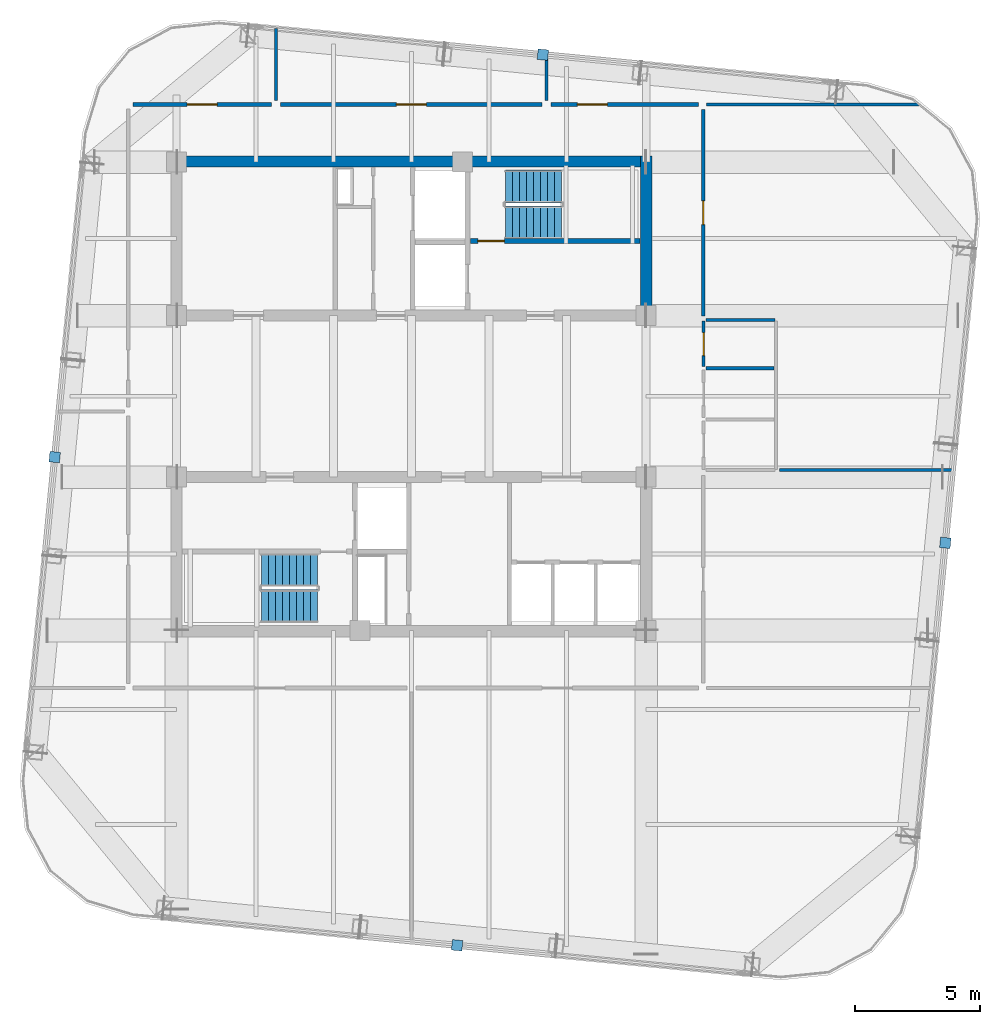
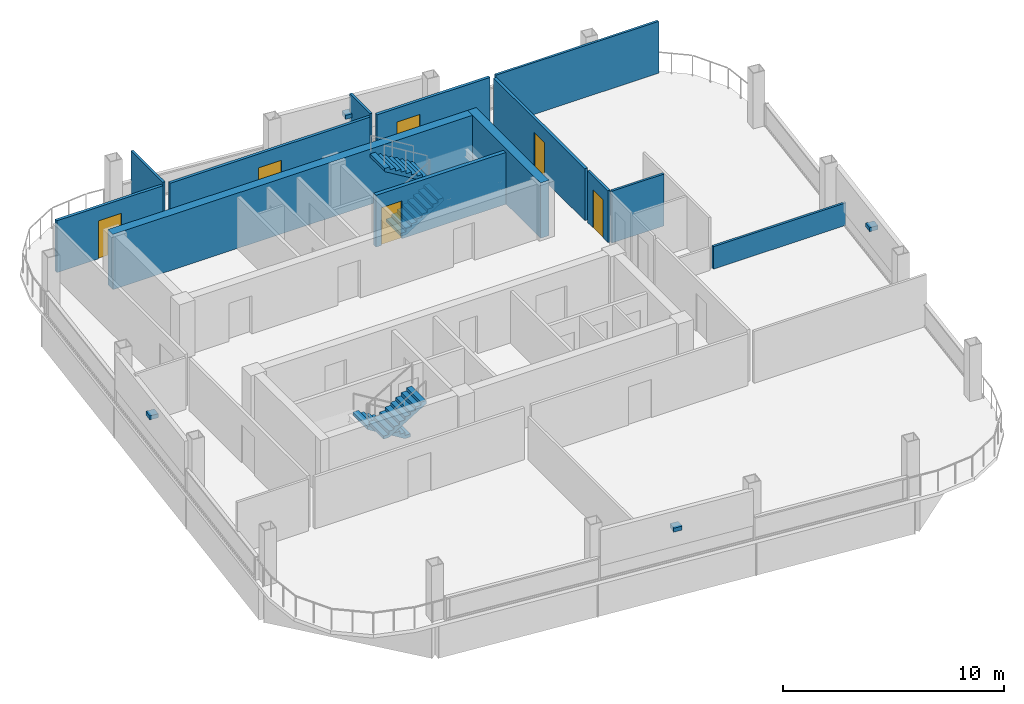
# One storey, part 17 of 21: 14 walls, 6 doors, 4 discrete accessories, 4 stair flights, 6 openings, 2 elements without a shape of their own.
"""IFC4 building model written with IfcOpenShell, lengths in metres."""

import ifcopenshell
import ifcopenshell.guid

model = None  # the IFC model being written
_history = None  # IfcOwnerHistory: only IFC2X3 demands one
_inside = {}  # id of a spatial element -> (the spatial element, [elements in it])
_under = {}  # id of a project, library or spatial element -> (it, [spatial elements below it])
_declared = {}  # id of a project -> (the project, [libraries it declares])
_typed = {}  # id of a type object -> (the type object, [elements of that type])
_made_of = {}  # id of a material, layer set ... -> (it, [elements and type objects made of it])


def new_model(schema):
    """Start an empty IFC model of exactly this schema.

    Asked for "IFC4X3", IfcOpenShell would pick the latest addendum, in which some entities
    have other attributes; the version numbers below select the first issue.
    IFC2X3 requires an IfcOwnerHistory on every rooted entity: one is made here for all.
    """
    global model, _history
    if schema == "IFC4X3":
        model = ifcopenshell.file(schema_version=(4, 3, 0, 0))
    else:
        model = ifcopenshell.file(schema=schema)
    _inside.clear()
    _under.clear()
    _declared.clear()
    _typed.clear()
    _made_of.clear()
    _history = None
    if model.schema == "IFC2X3":
        org = make("IfcOrganization", Name="unknown")
        user = make(
            "IfcPersonAndOrganization",
            ThePerson=make("IfcPerson", FamilyName="unknown"),
            TheOrganization=org,
        )
        app = make(
            "IfcApplication",
            ApplicationDeveloper=org,
            Version="unknown",
            ApplicationFullName="unknown",
            ApplicationIdentifier="unknown",
        )
        _history = make(
            "IfcOwnerHistory",
            OwningUser=user,
            OwningApplication=app,
            ChangeAction="ADDED",
            CreationDate=0,
        )
    return model


def make(cls, **values):
    """One entity of the class cls with the attributes given. An attribute that is None is left unset."""
    return model.create_entity(
        cls, **{name: value for name, value in values.items() if value is not None}
    )


def rooted(cls, **values):
    """An entity with a GlobalId (a new one), such as an element, a storey or a relation."""
    return make(cls, GlobalId=ifcopenshell.guid.new(), OwnerHistory=_history, **values)


def si_unit(unit_type, name, prefix=None):
    """IfcSIUnit, for example si_unit("LENGTHUNIT", "METRE", prefix="MILLI")."""
    return make("IfcSIUnit", UnitType=unit_type, Prefix=prefix, Name=name)


def assignment(units):
    """IfcUnitAssignment: the units of a project."""
    return None if units is None else make("IfcUnitAssignment", Units=units)


def point(xyz):
    """IfcCartesianPoint."""
    return None if xyz is None else make("IfcCartesianPoint", Coordinates=xyz)


def direction(xyz):
    """IfcDirection."""
    return None if xyz is None else make("IfcDirection", DirectionRatios=xyz)


def frame(location, z_axis=None, x_axis=None):
    """IfcAxis2Placement3D, a coordinate frame: its origin and axes. An axis left out is left unset."""
    return make(
        "IfcAxis2Placement3D",
        Location=point(location),
        Axis=direction(z_axis),
        RefDirection=direction(x_axis),
    )


def frame_2d(location, x_axis=None):
    """IfcAxis2Placement2D, a coordinate frame in the plane: its origin and x axis."""
    return make(
        "IfcAxis2Placement2D", Location=point(location), RefDirection=direction(x_axis)
    )


def origin():
    """The frame at (0, 0, 0) with its axes left unset."""
    return frame((0.0, 0.0, 0.0))


def origin_2d():
    """The frame at (0, 0) in the plane with its x axis left unset."""
    return frame_2d((0.0, 0.0))


def place(relative_to, where):
    """IfcLocalPlacement: puts the frame where relative to a parent placement (None: the world)."""
    return make(
        "IfcLocalPlacement", PlacementRelTo=relative_to, RelativePlacement=where
    )


def context(
    kind, dimensions, precision=None, world=None, true_north=None, identifier=None
):
    """IfcGeometricRepresentationContext, for example the 3D "Model" context."""
    return make(
        "IfcGeometricRepresentationContext",
        ContextIdentifier=identifier,
        ContextType=kind,
        CoordinateSpaceDimension=dimensions,
        Precision=precision,
        WorldCoordinateSystem=world,
        TrueNorth=true_north,
    )


def subcontext(parent, identifier, kind, view, scale=None):
    """IfcGeometricRepresentationSubContext, for example "Body" below "Model"."""
    return make(
        "IfcGeometricRepresentationSubContext",
        ContextIdentifier=identifier,
        ContextType=kind,
        ParentContext=parent,
        TargetScale=scale,
        TargetView=view,
    )


def project(units=None, contexts=None):
    """IfcProject with its units and contexts."""
    return rooted(
        "IfcProject",
        Name="project",
        RepresentationContexts=contexts,
        UnitsInContext=assignment(units),
    )


def spatial(cls, under=None, at=None, **own):
    """A site, building, storey or space (cls), placed at a placement, below another one or the project."""
    s = rooted(cls, ObjectPlacement=at, **own)
    if under is not None:
        _under.setdefault(under.id(), (under, []))[1].append(s)
    return s


def polyline(points):
    """IfcPolyline through the points."""
    return make("IfcPolyline", Points=[point(p) for p in points])


def profile(cls, at=None, kind="AREA", **sizes):
    """A parametric profile (cls). Its sizes go by their IFC names, for example OverallWidth=200.0."""
    return make(cls, ProfileType=kind, Position=at, **sizes)


def rectangle(**sizes):
    """IfcRectangleProfileDef."""
    return profile("IfcRectangleProfileDef", **sizes)


def outline(outer, holes=None, kind="AREA"):
    """IfcArbitraryClosedProfileDef: a profile drawn as a closed curve; with holes, ...WithVoids."""
    if holes is None:
        return make("IfcArbitraryClosedProfileDef", ProfileType=kind, OuterCurve=outer)
    return make(
        "IfcArbitraryProfileDefWithVoids",
        ProfileType=kind,
        OuterCurve=outer,
        InnerCurves=holes,
    )


def extrude(swept, where, along, depth):
    """IfcExtrudedAreaSolid: the profile swept, set in the frame where, extruded along a direction by depth."""
    return make(
        "IfcExtrudedAreaSolid",
        SweptArea=swept,
        Position=where,
        ExtrudedDirection=direction(along),
        Depth=depth,
    )


def shape(context_of_items, identifier, shape_type, items):
    """IfcShapeRepresentation: the items that make up one representation, for example the "Body"."""
    return make(
        "IfcShapeRepresentation",
        ContextOfItems=context_of_items,
        RepresentationIdentifier=identifier,
        RepresentationType=shape_type,
        Items=items,
    )


def material(Name=None, Category=None):
    """IfcMaterial."""
    return make("IfcMaterial", Name=Name, Category=Category)


def layer(
    of_material, thickness, ventilated=None, Name=None, Category=None, Priority=None
):
    """IfcMaterialLayer: one layer of a wall or slab, of a material (None: an air gap)."""
    return make(
        "IfcMaterialLayer",
        Material=of_material,
        LayerThickness=thickness,
        IsVentilated=ventilated,
        Name=Name,
        Category=Category,
        Priority=Priority,
    )


def layer_set(layers, Name=None):
    """IfcMaterialLayerSet."""
    return make("IfcMaterialLayerSet", MaterialLayers=layers, LayerSetName=Name)


def made_of(thing, what):
    """Note that an element or type object is made of a material, layer set ...; save() writes the relation."""
    if what is not None:
        _made_of.setdefault(what.id(), (what, []))[1].append(thing)
    return thing


def type_object(cls, material=None, **own):
    """A type object (cls), such as IfcWallType, which elements share."""
    return made_of(rooted(cls, **own), material)


def element(
    cls,
    number,
    at=None,
    inside=None,
    cuts=None,
    type_object=None,
    material=None,
    context=None,
    identifier="Body",
    shape_type=None,
    held_by="IfcProductDefinitionShape",
    body=None,
    shapes=None,
    **own,
):
    """One element of the class cls, such as IfcWall. Its Tag is "e" and its number.

    at: its placement. inside: the storey or other place that contains it. cuts: it is an
    opening in that element (IfcRelVoidsElement). A single representation is given by context,
    identifier, shape_type and body (its items); several are given by shapes. held_by: the class
    of the entity that holds the representations. save() writes the other relations.
    """
    e = rooted(cls, Tag="e%d" % number, ObjectPlacement=at, **own)
    if body is not None:
        shapes = [shape(context, identifier, shape_type, body)]
    if shapes is not None:
        e.Representation = make(held_by, Representations=shapes)
    if inside is not None:
        _inside.setdefault(inside.id(), (inside, []))[1].append(e)
    if cuts is not None:
        rooted(
            "IfcRelVoidsElement", RelatingBuildingElement=cuts, RelatedOpeningElement=e
        )
    if type_object is not None:
        _typed.setdefault(type_object.id(), (type_object, []))[1].append(e)
    return made_of(e, material)


def fill(opening, filler):
    """IfcRelFillsElement: the door or window that sits in an opening."""
    return rooted(
        "IfcRelFillsElement",
        RelatingOpeningElement=opening,
        RelatedBuildingElement=filler,
    )


def aggregate(whole, parts):
    """IfcRelAggregates: a whole, such as a stair, and the parts it consists of."""
    return rooted("IfcRelAggregates", RelatingObject=whole, RelatedObjects=parts)


def save(model, path):
    """Write the relations noted so far, then the file.

    IfcRelAggregates (storeys below a building ...), IfcRelContainedInSpatialStructure (elements
    in a storey), IfcRelDefinesByType, IfcRelAssociatesMaterial and IfcRelDeclares: one each for
    every whole, place, type object, material and project.
    """
    for whole, parts in _under.values():
        aggregate(whole, parts)
    for where, things in _inside.values():
        rooted(
            "IfcRelContainedInSpatialStructure",
            RelatedElements=things,
            RelatingStructure=where,
        )
    for kind, things in _typed.values():
        rooted("IfcRelDefinesByType", RelatedObjects=things, RelatingType=kind)
    for what, things in _made_of.values():
        rooted("IfcRelAssociatesMaterial", RelatedObjects=things, RelatingMaterial=what)
    for by, libraries in _declared.values():
        rooted("IfcRelDeclares", RelatingContext=by, RelatedDefinitions=libraries)
    model.write(path)


model = new_model("IFC4")

# Units and contexts
model_context = context("Model", 3, precision=1e-05, world=origin(), true_north=direction((0.0, 1.0)))
body_context = subcontext(model_context, "Body", "Model", "MODEL_VIEW")
ifc_project = project(units=[si_unit("LENGTHUNIT", "METRE"), si_unit("AREAUNIT", "SQUARE_METRE"), si_unit("VOLUMEUNIT", "CUBIC_METRE"), si_unit("PLANEANGLEUNIT", "RADIAN"), si_unit("MASSUNIT", "GRAM", prefix="KILO")], contexts=[model_context])

# Site, building, storey
site_placement = place(None, origin())
site = spatial("IfcSite", under=ifc_project, at=site_placement, CompositionType="ELEMENT")
building_placement = place(site_placement, origin())
building = spatial("IfcBuilding", under=site, at=building_placement, Name="Qhalaya Broadcast Tower", CompositionType="ELEMENT")
storey_placement = place(building_placement, frame((0.0, 0.0, 270.300048828125)))
storey = spatial("IfcBuildingStorey", under=building, at=storey_placement, Name="L80", CompositionType="ELEMENT", Elevation=270.300048828125)

# Wall, opening, door
ifc_material_1 = material(Name="Gypsum Acoustic Partition")
ifc_layer_1 = layer(ifc_material_1, 0.14990234375, Name="Gypsum Acoustic Partition")
ifc_layer_set_1 = layer_set([ifc_layer_1], Name="Gypsum Acoustic Partition")
wall_type_1 = type_object("IfcWallType", Name="Corridor & Tenancy Acoustic Partition 150", PredefinedType="PARTITIONING", material=ifc_layer_set_1)
wall_1_placement = place(storey_placement, frame((-11.1201171875, 12.25, 0.0), z_axis=(0.0, 0.0, 1.0), x_axis=(1.0, 0.0, 0.0)))
wall_1 = element("IfcWall", 1, at=wall_1_placement, inside=storey, type_object=wall_type_1, Name="L80 Partition Wall W-COR-01", PredefinedType="PARTITIONING", context=body_context, shape_type="SweptSolid", body=[
    extrude(rectangle(XDim=5.5400390625, YDim=0.14990234375, at=frame_2d((2.77001953125, 0.0))), origin(), (0.0, 0.0, 1.0), 2.85986328125),
])
opening_1_placement = place(wall_1_placement, frame((2.169921875, 0.0, 0.0)))
opening_1 = element("IfcOpeningElement", 2, at=opening_1_placement, cuts=wall_1, Name="Opening D11", PredefinedType="OPENING", context=body_context, shape_type="SweptSolid", body=[
    extrude(rectangle(XDim=1.199951171875, YDim=2.10009765625, at=frame_2d((0.60009765625, 1.050048828125))), frame((0.0, 0.0869140625, 0.0), z_axis=(0.0, -1.0, 0.0), x_axis=(1.0, 0.0, 0.0)), (0.0, 0.0, 1.0), 0.173828125),
])
ifc_material_2 = material(Name="Anodised Aluminium Glazed Door", Category="aluminium")
door_type_1 = type_object("IfcDoorType", Name="Conference, Boardroom & Studio Control Door D11", OperationType="NOTDEFINED", PredefinedType="DOOR", material=ifc_material_2)
door_1_placement = place(opening_1_placement, origin())
door_1 = element("IfcDoor", 3, at=door_1_placement, inside=storey, type_object=door_type_1, Name="L80 Door D-RM01", OperationType="SINGLE_SWING_RIGHT", OverallHeight=2.10009765625, OverallWidth=1.199951171875, PredefinedType="DOOR", context=body_context, shape_type="SweptSolid", body=[
    extrude(rectangle(XDim=1.199951171875, YDim=2.10009765625, at=frame_2d((0.60009765625, 1.050048828125))), frame((0.0, 0.02490234375, 0.0), z_axis=(0.0, -1.0, 0.0), x_axis=(1.0, 0.0, 0.0)), (0.0, 0.0, 1.0), 0.050048828125),
])
fill(opening_1, door_1)

wall_2_placement = place(storey_placement, frame((-5.219970703125, 12.25, 0.0), z_axis=(0.0, 0.0, 1.0), x_axis=(1.0, 0.0, 0.0)))
wall_2 = element("IfcWall", 4, at=wall_2_placement, inside=storey, type_object=wall_type_1, Name="L80 Partition Wall W-COR-02", PredefinedType="PARTITIONING", context=body_context, shape_type="SweptSolid", body=[
    extrude(rectangle(XDim=10.43994140625, YDim=0.14990234375, at=frame_2d((5.219970703125, 0.0))), origin(), (0.0, 0.0, 1.0), 2.85986328125),
])
opening_2_placement = place(wall_2_placement, frame((4.6201171875, 0.0, 0.0)))
opening_2 = element("IfcOpeningElement", 5, at=opening_2_placement, cuts=wall_2, Name="Opening D11", PredefinedType="OPENING", context=body_context, shape_type="SweptSolid", body=[
    extrude(rectangle(XDim=1.199951171875, YDim=2.10009765625, at=frame_2d((0.60009765625, 1.050048828125))), frame((0.0, 0.0869140625, 0.0), z_axis=(0.0, -1.0, 0.0), x_axis=(1.0, 0.0, 0.0)), (0.0, 0.0, 1.0), 0.173828125),
])
door_2_placement = place(opening_2_placement, origin())
door_2 = element("IfcDoor", 6, at=door_2_placement, inside=storey, type_object=door_type_1, Name="L80 Door D-RM02", OperationType="SINGLE_SWING_LEFT", OverallHeight=2.10009765625, OverallWidth=1.199951171875, PredefinedType="DOOR", context=body_context, shape_type="SweptSolid", body=[
    extrude(rectangle(XDim=1.199951171875, YDim=2.10009765625, at=frame_2d((0.60009765625, 1.050048828125))), frame((0.0, 0.02490234375, 0.0), z_axis=(0.0, -1.0, 0.0), x_axis=(1.0, 0.0, 0.0)), (0.0, 0.0, 1.0), 0.050048828125),
])
fill(opening_2, door_2)

wall_3_placement = place(storey_placement, frame((5.580078125, 12.25, 0.0), z_axis=(0.0, 0.0, 1.0), x_axis=(1.0, 0.0, 0.0)))
wall_3 = element("IfcWall", 7, at=wall_3_placement, inside=storey, type_object=wall_type_1, Name="L80 Partition Wall W-COR-03", PredefinedType="PARTITIONING", context=body_context, shape_type="SweptSolid", body=[
    extrude(rectangle(XDim=5.889892578125, YDim=0.14990234375, at=frame_2d((2.94482421875, 0.0))), origin(), (0.0, 0.0, 1.0), 2.85986328125),
])
opening_3_placement = place(wall_3_placement, frame((1.044921875, 0.0, 0.0)))
opening_3 = element("IfcOpeningElement", 8, at=opening_3_placement, cuts=wall_3, Name="Opening D11", PredefinedType="OPENING", context=body_context, shape_type="SweptSolid", body=[
    extrude(rectangle(XDim=1.199951171875, YDim=2.10009765625, at=frame_2d((0.60009765625, 1.050048828125))), frame((0.0, 0.0869140625, 0.0), z_axis=(0.0, -1.0, 0.0), x_axis=(1.0, 0.0, 0.0)), (0.0, 0.0, 1.0), 0.173828125),
])
door_3_placement = place(opening_3_placement, origin())
door_3 = element("IfcDoor", 9, at=door_3_placement, inside=storey, type_object=door_type_1, Name="L80 Door D-RM03", OperationType="SINGLE_SWING_RIGHT", OverallHeight=2.10009765625, OverallWidth=1.199951171875, PredefinedType="DOOR", context=body_context, shape_type="SweptSolid", body=[
    extrude(rectangle(XDim=1.199951171875, YDim=2.10009765625, at=frame_2d((0.60009765625, 1.050048828125))), frame((0.0, 0.02490234375, 0.0), z_axis=(0.0, -1.0, 0.0), x_axis=(1.0, 0.0, 0.0)), (0.0, 0.0, 1.0), 0.050048828125),
])
fill(opening_3, door_3)

wall_4_placement = place(storey_placement, frame((11.64990234375, 3.800048828125, 0.0), z_axis=(0.0, 0.0, 1.0), x_axis=(0.0, 1.0, 0.0)))
wall_4 = element("IfcWall", 10, at=wall_4_placement, inside=storey, type_object=wall_type_1, Name="L80 Partition Wall W-COR-09", PredefinedType="PARTITIONING", context=body_context, shape_type="SweptSolid", body=[
    extrude(rectangle(XDim=8.25, YDim=0.14990234375, at=frame_2d((4.125, 0.0))), origin(), (0.0, 0.0, 1.0), 2.85986328125),
])
opening_4_placement = place(wall_4_placement, frame((3.64990234375, 0.0, 0.0)))
opening_4 = element("IfcOpeningElement", 11, at=opening_4_placement, cuts=wall_4, Name="Opening D10", PredefinedType="OPENING", context=body_context, shape_type="SweptSolid", body=[
    extrude(rectangle(XDim=0.949951171875, YDim=2.10009765625, at=frame_2d((0.47509765625, 1.050048828125))), frame((0.0, 0.0869140625, 0.0), z_axis=(0.0, -1.0, 0.0), x_axis=(1.0, 0.0, 0.0)), (0.0, 0.0, 1.0), 0.173828125),
])
ifc_material_3 = material(Name="Timber Veneer Acoustic Door", Category="wood")
door_type_2 = type_object("IfcDoorType", Name="Cellular Office & Edit Booth Door D10", OperationType="NOTDEFINED", PredefinedType="DOOR", material=ifc_material_3)
door_4_placement = place(opening_4_placement, origin())
door_4 = element("IfcDoor", 12, at=door_4_placement, inside=storey, type_object=door_type_2, Name="L80 Door D-RM09", OperationType="SINGLE_SWING_RIGHT", OverallHeight=2.10009765625, OverallWidth=0.949951171875, PredefinedType="DOOR", context=body_context, shape_type="SweptSolid", body=[
    extrude(rectangle(XDim=0.949951171875, YDim=2.10009765625, at=frame_2d((0.47509765625, 1.050048828125))), frame((0.0, 0.02490234375, 0.0), z_axis=(0.0, -1.0, 0.0), x_axis=(1.0, 0.0, 0.0)), (0.0, 0.0, 1.0), 0.050048828125),
])
fill(opening_4, door_4)

ifc_material_4 = material(Name="Concrete C50/60", Category="concrete")
ifc_layer_2 = layer(ifc_material_4, 0.199951171875, Name="Concrete C50/60")
ifc_layer_set_2 = layer_set([ifc_layer_2], Name="Concrete C50/60")
wall_type_2 = type_object("IfcWallType", Name="Load-Bearing Stair Shaft Wall 200", PredefinedType="SHEAR", material=ifc_layer_set_2)
wall_5_placement = place(storey_placement, frame((2.360107421875, 6.804931640625, 0.0), z_axis=(0.0, 0.0, 1.0), x_axis=(1.0, 0.0, 0.0)))
wall_5 = element("IfcWall", 13, at=wall_5_placement, inside=storey, type_object=wall_type_2, Name="L80 Stair Core Shear Wall NCW-ST1", PredefinedType="SHEAR", context=body_context, shape_type="SweptSolid", body=[
    extrude(rectangle(XDim=6.769775390625, YDim=0.199951171875, at=frame_2d((3.384765625, 0.0))), origin(), (0.0, 0.0, 1.0), 2.85986328125),
])
opening_5_placement = place(wall_5_placement, frame((0.300048828125, 0.0, 0.0)))
opening_5 = element("IfcOpeningElement", 14, at=opening_5_placement, cuts=wall_5, Name="Opening D03", PredefinedType="OPENING", context=body_context, shape_type="SweptSolid", body=[
    extrude(rectangle(XDim=1.050048828125, YDim=2.080078125, at=frame_2d((0.52490234375, 1.0400390625))), frame((0.0, 0.112060546875, 0.0), z_axis=(0.0, -1.0, 0.0), x_axis=(1.0, 0.0, 0.0)), (0.0, 0.0, 1.0), 0.223876953125),
])
ifc_material_5 = material(Name="Fire-Rated Steel Door", Category="steel")
door_type_3 = type_object("IfcDoorType", Name="Core Stair Protected Fire Door D03", OperationType="NOTDEFINED", PredefinedType="DOOR", material=ifc_material_5)
door_5_placement = place(opening_5_placement, origin())
door_5 = element("IfcDoor", 15, at=door_5_placement, inside=storey, type_object=door_type_3, Name="L80 Door D-NST1", OperationType="SINGLE_SWING_LEFT", OverallHeight=2.080078125, OverallWidth=1.050048828125, PredefinedType="DOOR", context=body_context, shape_type="SweptSolid", body=[
    extrude(rectangle(XDim=1.050048828125, YDim=2.080078125, at=frame_2d((0.52490234375, 1.0400390625))), frame((0.0, 0.02490234375, 0.0), z_axis=(0.0, -1.0, 0.0), x_axis=(1.0, 0.0, 0.0)), (0.0, 0.0, 1.0), 0.050048828125),
])
fill(opening_5, door_5)

ifc_layer_3 = layer(ifc_material_1, 0.1201171875, Name="Gypsum Acoustic Partition")
ifc_layer_set_3 = layer_set([ifc_layer_3], Name="Gypsum Acoustic Partition")
wall_type_3 = type_object("IfcWallType", Name="Office, Booth & Sanitary Partition 120", PredefinedType="PARTITIONING", material=ifc_layer_set_3)
wall_6_placement = place(storey_placement, frame((11.669921875, 1.780029296875, 0.0), z_axis=(0.0, 0.0, 1.0), x_axis=(0.0, 1.0, 0.0)))
wall_6 = element("IfcWall", 16, at=wall_6_placement, inside=storey, type_object=wall_type_3, Name="L80 Partition Wall W-WCWF", PredefinedType="PARTITIONING", context=body_context, shape_type="SweptSolid", body=[
    extrude(rectangle(XDim=1.830078125, YDim=0.1201171875, at=frame_2d((0.9150390625, 0.0))), origin(), (0.0, 0.0, 1.0), 2.85986328125),
])
opening_6_placement = place(wall_6_placement, frame((0.43994140625, 0.0, 0.0)))
opening_6 = element("IfcOpeningElement", 17, at=opening_6_placement, cuts=wall_6, Name="Opening D12", PredefinedType="OPENING", context=body_context, shape_type="SweptSolid", body=[
    extrude(rectangle(XDim=0.919921875, YDim=2.10009765625, at=frame_2d((0.4599609375, 1.050048828125))), frame((0.0, 0.072021484375, 0.0), z_axis=(0.0, -1.0, 0.0), x_axis=(1.0, 0.0, 0.0)), (0.0, 0.0, 1.0), 0.14404296875),
])
door_type_4 = type_object("IfcDoorType", Name="Accessible WC & Restroom Door D12", OperationType="NOTDEFINED", PredefinedType="DOOR", material=ifc_material_3)
door_6_placement = place(opening_6_placement, origin())
door_6 = element("IfcDoor", 18, at=door_6_placement, inside=storey, type_object=door_type_4, Name="L80 Door D-WCF", OperationType="SINGLE_SWING_LEFT", OverallHeight=2.10009765625, OverallWidth=0.919921875, PredefinedType="DOOR", context=body_context, shape_type="SweptSolid", body=[
    extrude(rectangle(XDim=0.919921875, YDim=2.10009765625, at=frame_2d((0.4599609375, 1.050048828125))), frame((0.0, 0.02490234375, 0.0), z_axis=(0.0, -1.0, 0.0), x_axis=(1.0, 0.0, 0.0)), (0.0, 0.0, 1.0), 0.050048828125),
])
fill(opening_6, door_6)

# Walls
wall_7_placement = place(storey_placement, frame((11.760009765625, 3.639892578125, 0.0), z_axis=(0.0, 0.0, 1.0), x_axis=(1.0, 0.0, 0.0)))
element("IfcWall", 19, at=wall_7_placement, inside=storey, type_object=wall_type_3, Name="L80 Partition Wall W-WCN", PredefinedType="PARTITIONING", context=body_context, shape_type="SweptSolid", body=[
    extrude(rectangle(XDim=2.760009765625, YDim=0.1201171875, at=frame_2d((1.3798828125, 0.0))), origin(), (0.0, 0.0, 1.0), 1.239990234375),
])
wall_8_placement = place(storey_placement, frame((11.760009765625, 1.719970703125, 0.0), z_axis=(0.0, 0.0, 1.0), x_axis=(1.0, 0.0, 0.0)))
element("IfcWall", 20, at=wall_8_placement, inside=storey, type_object=wall_type_3, Name="L80 Partition Wall W-WCD2", PredefinedType="PARTITIONING", context=body_context, shape_type="SweptSolid", body=[
    extrude(rectangle(XDim=2.719970703125, YDim=0.1201171875, at=frame_2d((1.35986328125, 0.0))), origin(), (0.0, 0.0, 1.0), 2.85986328125),
])
wall_9_placement = place(storey_placement, frame((11.7900390625, 12.25, 0.0), z_axis=(0.0, 0.0, 1.0), x_axis=(1.0, 0.0, 0.0)))
element("IfcWall", 21, at=wall_9_placement, inside=storey, type_object=wall_type_3, Name="L80 Partition Wall W-BNDE1", PredefinedType="PARTITIONING", context=body_context, shape_type="SweptSolid", body=[
    extrude(rectangle(XDim=8.484130859375, YDim=0.1201171875, at=frame_2d((4.2421875, 0.0))), origin(), (0.0, 0.0, 1.0), 2.85986328125),
])
wall_10_placement = place(storey_placement, frame((-5.39990234375, 12.409912109375, 0.0), z_axis=(0.0, 0.0, 1.0), x_axis=(0.0, 1.0, 0.0)))
element("IfcWall", 22, at=wall_10_placement, inside=storey, type_object=wall_type_3, Name="L80 Partition Wall W-DIVN1", PredefinedType="PARTITIONING", context=body_context, shape_type="SweptSolid", body=[
    extrude(rectangle(XDim=2.87353515625, YDim=0.1201171875, at=frame_2d((1.436767578125, 0.0))), origin(), (0.0, 0.0, 1.0), 2.85986328125),
])
wall_11_placement = place(storey_placement, frame((5.39990234375, 12.409912109375, 0.0), z_axis=(0.0, 0.0, 1.0), x_axis=(0.0, 1.0, 0.0)))
element("IfcWall", 23, at=wall_11_placement, inside=storey, type_object=wall_type_3, Name="L80 Partition Wall W-DIVN2", PredefinedType="PARTITIONING", context=body_context, shape_type="SweptSolid", body=[
    extrude(rectangle(XDim=1.833740234375, YDim=0.1201171875, at=frame_2d((0.9169921875, 0.0))), origin(), (0.0, 0.0, 1.0), 2.85986328125),
])
wall_12_placement = place(storey_placement, frame((14.68994140625, -2.35009765625, 0.0), z_axis=(0.0, 0.0, 1.0), x_axis=(1.0, 0.0, 0.0)))
element("IfcWall", 24, at=wall_12_placement, inside=storey, type_object=wall_type_3, Name="L80 Partition Wall W-DIVE-WC", PredefinedType="PARTITIONING", context=body_context, shape_type="SweptSolid", body=[
    extrude(rectangle(XDim=6.92724609375, YDim=0.1201171875, at=frame_2d((3.463623046875, 0.0))), origin(), (0.0, 0.0, 1.0), 1.239990234375),
])
ifc_layer_4 = layer(ifc_material_4, 0.449951171875, Name="Concrete C50/60")
ifc_layer_set_4 = layer_set([ifc_layer_4], Name="Concrete C50/60")
wall_type_4 = type_object("IfcWallType", Name="Upper Split-Core Shear Wall 450", PredefinedType="SHEAR", material=ifc_layer_set_4)
wall_13_placement = place(storey_placement, frame((-9.60009765625, 9.97509765625, 0.0), z_axis=(0.0, 0.0, 1.0), x_axis=(1.0, 0.0, 0.0)))
element("IfcWall", 25, at=wall_13_placement, inside=storey, type_object=wall_type_4, Name="L80 Split-Core Shear Wall CW-NN", PredefinedType="SHEAR", context=body_context, shape_type="SweptSolid", body=[
    extrude(rectangle(XDim=19.2001953125, YDim=0.449951171875, at=frame_2d((9.60009765625, 0.0))), origin(), (0.0, 0.0, 1.0), 3.050048828125),
])
wall_14_placement = place(storey_placement, frame((9.375, 3.60009765625, 0.0), z_axis=(0.0, 0.0, 1.0), x_axis=(0.0, 1.0, 0.0)))
element("IfcWall", 26, at=wall_14_placement, inside=storey, type_object=wall_type_4, Name="L80 Split-Core Shear Wall CW-NE", PredefinedType="SHEAR", context=body_context, shape_type="SweptSolid", body=[
    extrude(rectangle(XDim=6.599853515625, YDim=0.449951171875, at=frame_2d((3.2998046875, 0.0))), origin(), (0.0, 0.0, 1.0), 3.050048828125),
])

# Stair, stair flights
ifc_material_6 = material(Name="Concrete C40/50", Category="concrete")
stair_type = type_object("IfcStairType", Name="Protected Dogleg Core Stair 3150", PredefinedType="TWO_STRAIGHT_RUN_STAIR", material=ifc_material_6)
stair_1_placement = place(storey_placement, origin())
stair_1 = element("IfcStair", 27, at=stair_1_placement, inside=storey, type_object=stair_type, Name="L80 North Core Exit Stair ST-1", PredefinedType="TWO_STRAIGHT_RUN_STAIR")
ifc_material_7 = material(Name="Precast Concrete C40/50", Category="concrete")
stair_flight_type = type_object("IfcStairFlightType", Name="Precast Concrete Stair Flight 3150", PredefinedType="STRAIGHT", material=ifc_material_7)
stair_flight_1_placement = place(storey_placement, frame((3.75, 7.5400390625, 0.0), z_axis=(0.0, 0.0, 1.0), x_axis=(1.0, 0.0, 0.0)))
stair_flight_1 = element("IfcStairFlight", 28, at=stair_flight_1_placement, type_object=stair_flight_type, Name="ST-1 flight 1", NumberOfRisers=9, NumberOfTreads=8, PredefinedType="STRAIGHT", RiserHeight=0.169444444, TreadLength=0.28, context=body_context, shape_type="SweptSolid", body=[
    extrude(outline(polyline([(0.0, 0.0), (0.0, 0.16943359375), (0.280029296875, 0.16943359375), (0.280029296875, 0.3388671875), (0.56005859375, 0.3388671875), (0.56005859375, 0.50830078125), (0.840087890625, 0.50830078125), (0.840087890625, 0.677734375), (1.1201171875, 0.677734375), (1.1201171875, 0.84716796875), (1.39990234375, 0.84716796875), (1.39990234375, 1.0166015625), (1.679931640625, 1.0166015625), (1.679931640625, 1.18603515625), (1.9599609375, 1.18603515625), (1.9599609375, 1.35546875), (2.239990234375, 1.35546875), (2.239990234375, 1.52490234375), (2.239990234375, 1.180419921875), (0.28955078125, 0.0), (0.0, 0.0)])), frame((0.0, 0.66015625, 0.0), z_axis=(0.0, -1.0, 0.0), x_axis=(1.0, 0.0, 0.0)), (0.0, 0.0, 1.0), 1.320068359375),
])
stair_flight_2_placement = place(storey_placement, frame((5.989990234375, 8.97998046875, 1.52490234375), z_axis=(0.0, 0.0, 1.0), x_axis=(-1.0, 0.0, 0.0)))
stair_flight_2 = element("IfcStairFlight", 29, at=stair_flight_2_placement, type_object=stair_flight_type, Name="ST-1 flight 2", NumberOfRisers=9, NumberOfTreads=8, PredefinedType="STRAIGHT", RiserHeight=0.169444444, TreadLength=0.28, context=body_context, shape_type="SweptSolid", body=[
    extrude(outline(polyline([(0.0, 0.0), (0.0, 0.16943359375), (0.280029296875, 0.16943359375), (0.280029296875, 0.3388671875), (0.56005859375, 0.3388671875), (0.56005859375, 0.50830078125), (0.840087890625, 0.50830078125), (0.840087890625, 0.677734375), (1.1201171875, 0.677734375), (1.1201171875, 0.84716796875), (1.39990234375, 0.84716796875), (1.39990234375, 1.0166015625), (1.679931640625, 1.0166015625), (1.679931640625, 1.18603515625), (1.9599609375, 1.18603515625), (1.9599609375, 1.35546875), (2.239990234375, 1.35546875), (2.239990234375, 1.52490234375), (2.239990234375, 1.180419921875), (0.28955078125, 0.0), (0.0, 0.0)])), frame((0.0, 0.66015625, 0.0), z_axis=(0.0, -1.0, 0.0), x_axis=(1.0, 0.0, 0.0)), (0.0, 0.0, 1.0), 1.320068359375),
])
aggregate(stair_1, [stair_flight_1, stair_flight_2])

stair_2_placement = place(storey_placement, origin())
stair_2 = element("IfcStair", 30, at=stair_2_placement, inside=storey, type_object=stair_type, Name="L80 South Core Exit Stair ST-2", PredefinedType="TWO_STRAIGHT_RUN_STAIR")
stair_flight_3_placement = place(storey_placement, frame((-3.75, -6.340087890625, 0.0), z_axis=(0.0, 0.0, 1.0), x_axis=(-1.0, 0.0, 0.0)))
stair_flight_3 = element("IfcStairFlight", 31, at=stair_flight_3_placement, type_object=stair_flight_type, Name="ST-2 flight 1", NumberOfRisers=9, NumberOfTreads=8, PredefinedType="STRAIGHT", RiserHeight=0.169444444, TreadLength=0.28, context=body_context, shape_type="SweptSolid", body=[
    extrude(outline(polyline([(0.0, 0.0), (0.0, 0.16943359375), (0.280029296875, 0.16943359375), (0.280029296875, 0.3388671875), (0.56005859375, 0.3388671875), (0.56005859375, 0.50830078125), (0.840087890625, 0.50830078125), (0.840087890625, 0.677734375), (1.1201171875, 0.677734375), (1.1201171875, 0.84716796875), (1.39990234375, 0.84716796875), (1.39990234375, 1.0166015625), (1.679931640625, 1.0166015625), (1.679931640625, 1.18603515625), (1.9599609375, 1.18603515625), (1.9599609375, 1.35546875), (2.239990234375, 1.35546875), (2.239990234375, 1.52490234375), (2.239990234375, 1.180419921875), (0.28955078125, 0.0), (0.0, 0.0)])), frame((0.0, 0.66015625, 0.0), z_axis=(0.0, -1.0, 0.0), x_axis=(1.0, 0.0, 0.0)), (0.0, 0.0, 1.0), 1.320068359375),
])
stair_flight_4_placement = place(storey_placement, frame((-5.989990234375, -7.780029296875, 1.52490234375), z_axis=(0.0, 0.0, 1.0), x_axis=(1.0, 0.0, 0.0)))
stair_flight_4 = element("IfcStairFlight", 32, at=stair_flight_4_placement, type_object=stair_flight_type, Name="ST-2 flight 2", NumberOfRisers=9, NumberOfTreads=8, PredefinedType="STRAIGHT", RiserHeight=0.169444444, TreadLength=0.28, context=body_context, shape_type="SweptSolid", body=[
    extrude(outline(polyline([(0.0, 0.0), (0.0, 0.16943359375), (0.280029296875, 0.16943359375), (0.280029296875, 0.3388671875), (0.56005859375, 0.3388671875), (0.56005859375, 0.50830078125), (0.840087890625, 0.50830078125), (0.840087890625, 0.677734375), (1.1201171875, 0.677734375), (1.1201171875, 0.84716796875), (1.39990234375, 0.84716796875), (1.39990234375, 1.0166015625), (1.679931640625, 1.0166015625), (1.679931640625, 1.18603515625), (1.9599609375, 1.18603515625), (1.9599609375, 1.35546875), (2.239990234375, 1.35546875), (2.239990234375, 1.52490234375), (2.239990234375, 1.180419921875), (0.28955078125, 0.0), (0.0, 0.0)])), frame((0.0, 0.66015625, 0.0), z_axis=(0.0, -1.0, 0.0), x_axis=(1.0, 0.0, 0.0)), (0.0, 0.0, 1.0), 1.320068359375),
])
aggregate(stair_2, [stair_flight_3, stair_flight_4])

# Discrete accessories
ifc_material_8 = material(Name="Structural Steel ASTM A572 Grade 50", Category="steel")
discrete_accessory_type = type_object("IfcDiscreteAccessoryType", Name="Facade Baguette Support Bracket BRK-01", PredefinedType="BRACKET", material=ifc_material_8)
for number, where, z_axis, x_axis, name in (
    (33, (1.828125, -21.31787109375, 1.6630859375), (0.0, 0.0, 1.0), (0.995396198367, -0.09584575252, 0.0), "L80 Baguette Support Bracket S"),
    (34, (21.31787109375, -5.251708984375, 1.6630859375), (0.0, 0.0, 1.0), (0.09584575252, 0.995396198367, 0.0), "L80 Baguette Support Bracket E"),
    (35, (5.251708984375, 14.23779296875, 1.6630859375), (0.0, 0.0, 1.0), (-0.995396198367, 0.09584575252, 0.0), "L80 Baguette Support Bracket N"),
    (36, (-14.23779296875, -1.828125, 1.6630859375), (0.0, 0.0, 1.0), (-0.09584575252, -0.995396198367, 0.0), "L80 Baguette Support Bracket W"),
):
    element("IfcDiscreteAccessory", number, at=place(storey_placement, frame(where, z_axis=z_axis, x_axis=x_axis)), inside=storey, type_object=discrete_accessory_type, Name=name, PredefinedType="BRACKET", context=body_context, shape_type="SweptSolid", body=[
        extrude(rectangle(XDim=0.419921875, YDim=0.419921875, at=origin_2d()), origin(), (0.0, 0.0, 1.0), 0.219970703125),
    ])

save(model, "model.ifc")
